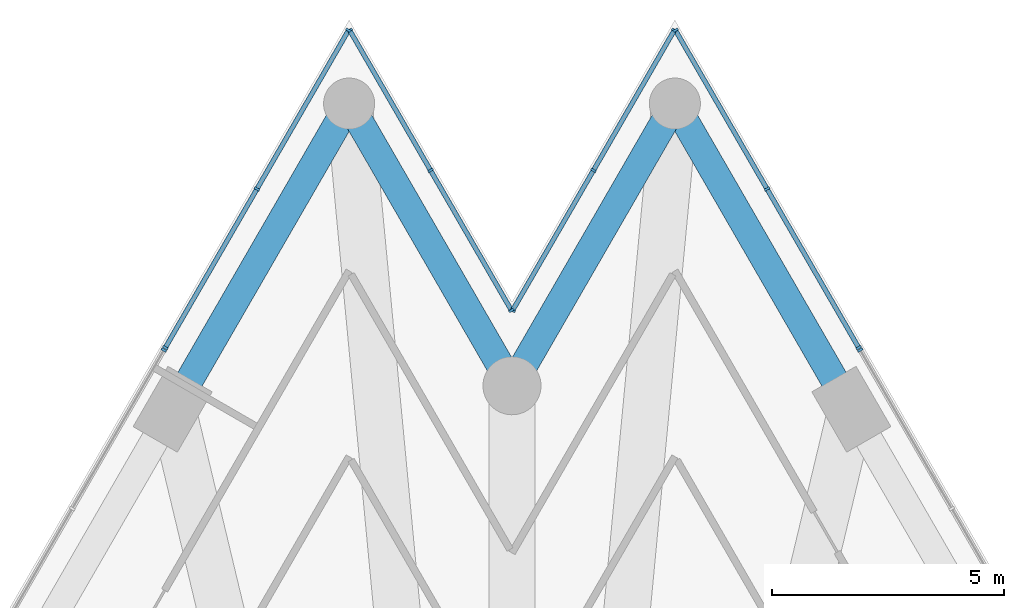
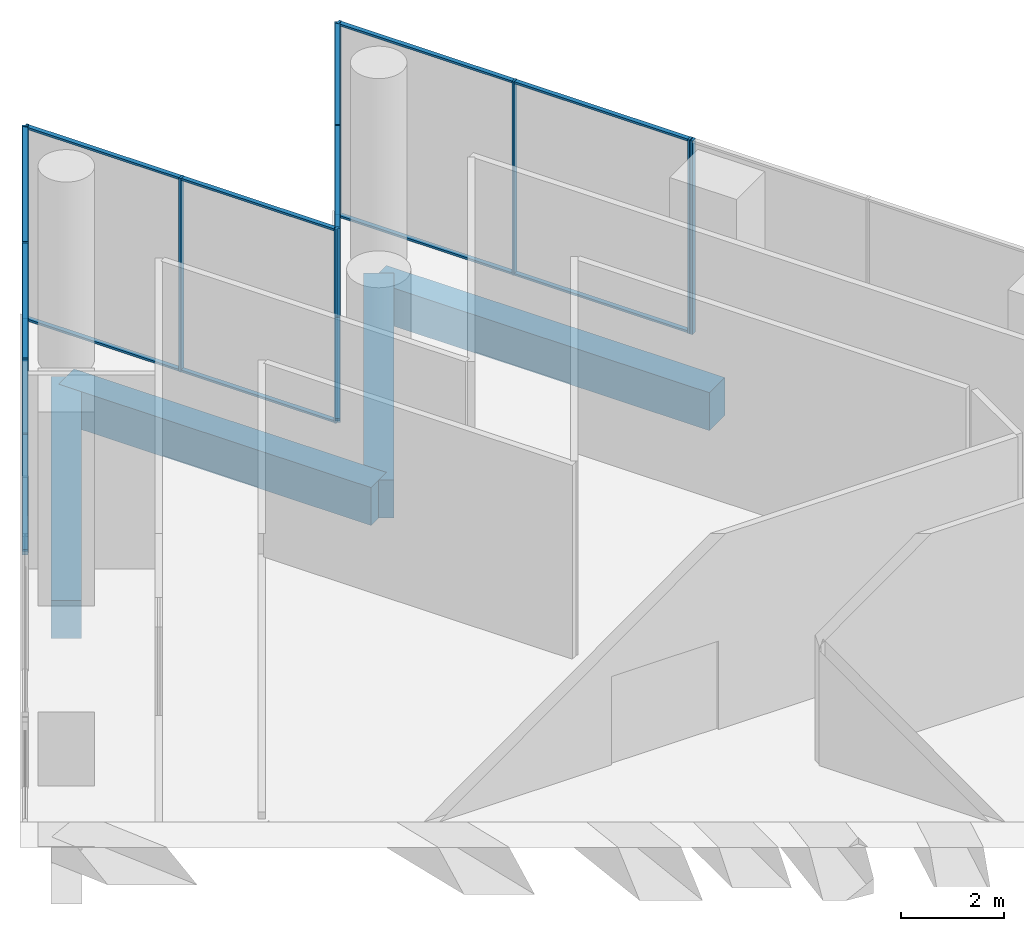
# One storey, part 19 of 32: 30 members, 4 beams, 6 elements without a shape of their own.
"""IFC4 building model written with IfcOpenShell, lengths in metres."""

from ifc_helpers import new_model, si_unit, direction, frame, origin, origin_2d, place, context, subcontext, project, spatial, rectangle, extrude, material, layer, layer_set, material_profile, profile_set, type_object, element, aggregate, save


model = new_model("IFC4")

# Units and contexts
model_context = context("Model", 3, precision=1e-05, world=origin(), true_north=direction((0.0, 1.0)))
body_context = subcontext(model_context, "Body", "Model", "MODEL_VIEW")
ifc_project = project(units=[si_unit("LENGTHUNIT", "METRE"), si_unit("AREAUNIT", "SQUARE_METRE"), si_unit("VOLUMEUNIT", "CUBIC_METRE"), si_unit("PLANEANGLEUNIT", "RADIAN"), si_unit("MASSUNIT", "GRAM", prefix="KILO")], contexts=[model_context])

# Site, building, storey
site_placement = place(None, origin())
site = spatial("IfcSite", under=ifc_project, at=site_placement, CompositionType="ELEMENT")
building_placement = place(site_placement, origin())
building = spatial("IfcBuilding", under=site, at=building_placement, Name="Triada Interchange Tower", CompositionType="ELEMENT")
storey_placement = place(building_placement, frame((0.0, 0.0, 25.300048828125)))
storey = spatial("IfcBuildingStorey", under=building, at=storey_placement, Name="L04", CompositionType="ELEMENT", Elevation=25.300048828125)

# Curtain wall, member
ifc_material_1 = material(Name="Aluminium framed glazing", Category="aluminium")
ifc_layer = layer(ifc_material_1, 0.199951171875)
ifc_layer_set = layer_set([ifc_layer], Name="Curtain wall Winter garden glazing")
curtain_wall_type = type_object("IfcCurtainWallType", Name="Curtain wall Winter garden glazing", PredefinedType="NOTDEFINED", material=ifc_layer_set)
curtain_wall_1_placement = place(storey_placement, origin())
curtain_wall_1 = element("IfcCurtainWall", 1, at=curtain_wall_1_placement, inside=storey, type_object=curtain_wall_type, Name="Winter garden glazing CW018 L04", PredefinedType="NOTDEFINED")
ifc_material_2 = material(Name="Aluminium", Category="aluminium")
ifc_material_profile_1 = material_profile(ifc_material_2, rectangle(XDim=0.1201171875, YDim=0.050048828125, at=origin_2d()), Name="Aluminium mullion")
ifc_profile_set_1 = profile_set([ifc_material_profile_1], Name="Aluminium")
member_type_1 = type_object("IfcMemberType", Name="Mullion Winter garden glazing 120x50", PredefinedType="MULLION", material=ifc_profile_set_1)
member_1_placement = place(storey_placement, frame((7.49560546875, 31.8173828125, 0.0), z_axis=(0.0, 0.0, 1.0), x_axis=(-0.866055473648, -0.499947913852, 0.0)))
member_1 = element("IfcMember", 2, at=member_1_placement, type_object=member_type_1, Name="CW018 mullion 3", PredefinedType="MULLION", context=body_context, shape_type="SweptSolid", body=[
    extrude(rectangle(XDim=0.1201171875, YDim=0.050048828125, at=origin_2d()), origin(), (0.0, 0.0, 1.0), 4.599853515625),
])
aggregate(curtain_wall_1, [member_1])

# Curtain wall, members
curtain_wall_2_placement = place(storey_placement, origin())
curtain_wall_2 = element("IfcCurtainWall", 3, at=curtain_wall_2_placement, inside=storey, type_object=curtain_wall_type, Name="Winter garden glazing CW019 L04", PredefinedType="NOTDEFINED")
member_2_placement = place(storey_placement, frame((7.464599609375, 31.86962890625, 0.0), z_axis=(0.0, 0.0, 1.0), x_axis=(-0.86604927658, -0.499958648825, 0.0)))
member_2 = element("IfcMember", 4, at=member_2_placement, type_object=member_type_1, Name="CW019 mullion 1", PredefinedType="MULLION", context=body_context, shape_type="SweptSolid", body=[
    extrude(rectangle(XDim=0.1201171875, YDim=0.050048828125, at=origin_2d()), origin(), (0.0, 0.0, 1.0), 4.599853515625),
])
member_3_placement = place(storey_placement, frame((5.491943359375, 35.28662109375, 0.0), z_axis=(0.0, 0.0, 1.0), x_axis=(-0.86604927658, -0.499958648825, 0.0)))
member_3 = element("IfcMember", 5, at=member_3_placement, type_object=member_type_1, Name="CW019 mullion 2", PredefinedType="MULLION", context=body_context, shape_type="SweptSolid", body=[
    extrude(rectangle(XDim=0.1201171875, YDim=0.050048828125, at=origin_2d()), origin(), (0.0, 0.0, 1.0), 4.599853515625),
])
member_4_placement = place(storey_placement, frame((3.51953125, 38.703369140625, 0.0), z_axis=(0.0, 0.0, 1.0), x_axis=(-0.86604927658, -0.499958648825, 0.0)))
member_4 = element("IfcMember", 6, at=member_4_placement, type_object=member_type_1, Name="CW019 mullion 3", PredefinedType="MULLION", context=body_context, shape_type="SweptSolid", body=[
    extrude(rectangle(XDim=0.1201171875, YDim=0.050048828125, at=origin_2d()), origin(), (0.0, 0.0, 1.0), 4.599853515625),
])

curtain_wall_3_placement = place(storey_placement, origin())
curtain_wall_3 = element("IfcCurtainWall", 7, at=curtain_wall_3_placement, inside=storey, type_object=curtain_wall_type, Name="Winter garden glazing CW020 L04", PredefinedType="NOTDEFINED")
member_5_placement = place(storey_placement, frame((3.494384765625, 38.703369140625, 0.0), z_axis=(0.0, 0.0, 1.0), x_axis=(0.866050272896, -0.499956922962, 0.0)))
member_5 = element("IfcMember", 8, at=member_5_placement, type_object=member_type_1, Name="CW020 mullion 1", PredefinedType="MULLION", context=body_context, shape_type="SweptSolid", body=[
    extrude(rectangle(XDim=0.1201171875, YDim=0.050048828125, at=origin_2d()), origin(), (0.0, 0.0, 1.0), 4.599853515625),
])
member_6_placement = place(storey_placement, frame((1.75341796875, 35.6875, 0.0), z_axis=(0.0, 0.0, 1.0), x_axis=(0.866050272896, -0.499956922962, 0.0)))
member_6 = element("IfcMember", 9, at=member_6_placement, type_object=member_type_1, Name="CW020 mullion 2", PredefinedType="MULLION", context=body_context, shape_type="SweptSolid", body=[
    extrude(rectangle(XDim=0.1201171875, YDim=0.050048828125, at=origin_2d()), origin(), (0.0, 0.0, 1.0), 4.599853515625),
])
member_7_placement = place(storey_placement, frame((0.012451171875, 32.671630859375, 0.0), z_axis=(0.0, 0.0, 1.0), x_axis=(0.866050272896, -0.499956922962, 0.0)))
member_7 = element("IfcMember", 10, at=member_7_placement, type_object=member_type_1, Name="CW020 mullion 3", PredefinedType="MULLION", context=body_context, shape_type="SweptSolid", body=[
    extrude(rectangle(XDim=0.1201171875, YDim=0.050048828125, at=origin_2d()), origin(), (0.0, 0.0, 1.0), 4.599853515625),
])

curtain_wall_4_placement = place(storey_placement, origin())
curtain_wall_4 = element("IfcCurtainWall", 11, at=curtain_wall_4_placement, inside=storey, type_object=curtain_wall_type, Name="Winter garden glazing CW021 L04", PredefinedType="NOTDEFINED")
member_8_placement = place(storey_placement, frame((-0.012451171875, 32.671630859375, 0.0), z_axis=(0.0, 0.0, 1.0), x_axis=(-0.866050272896, -0.499956922962, 0.0)))
member_8 = element("IfcMember", 12, at=member_8_placement, type_object=member_type_1, Name="CW021 mullion 1", PredefinedType="MULLION", context=body_context, shape_type="SweptSolid", body=[
    extrude(rectangle(XDim=0.1201171875, YDim=0.050048828125, at=origin_2d()), origin(), (0.0, 0.0, 1.0), 4.599853515625),
])
member_9_placement = place(storey_placement, frame((-1.75341796875, 35.6875, 0.0), z_axis=(0.0, 0.0, 1.0), x_axis=(-0.866050272896, -0.499956922962, 0.0)))
member_9 = element("IfcMember", 13, at=member_9_placement, type_object=member_type_1, Name="CW021 mullion 2", PredefinedType="MULLION", context=body_context, shape_type="SweptSolid", body=[
    extrude(rectangle(XDim=0.1201171875, YDim=0.050048828125, at=origin_2d()), origin(), (0.0, 0.0, 1.0), 4.599853515625),
])
member_10_placement = place(storey_placement, frame((-3.494384765625, 38.703369140625, 0.0), z_axis=(0.0, 0.0, 1.0), x_axis=(-0.866050272896, -0.499956922962, 0.0)))
member_10 = element("IfcMember", 14, at=member_10_placement, type_object=member_type_1, Name="CW021 mullion 3", PredefinedType="MULLION", context=body_context, shape_type="SweptSolid", body=[
    extrude(rectangle(XDim=0.1201171875, YDim=0.050048828125, at=origin_2d()), origin(), (0.0, 0.0, 1.0), 4.599853515625),
])

curtain_wall_5_placement = place(storey_placement, origin())
curtain_wall_5 = element("IfcCurtainWall", 15, at=curtain_wall_5_placement, inside=storey, type_object=curtain_wall_type, Name="Winter garden glazing CW022 L04", PredefinedType="NOTDEFINED")
member_11_placement = place(storey_placement, frame((-3.51953125, 38.703369140625, 0.0), z_axis=(0.0, 0.0, 1.0), x_axis=(0.86604927658, -0.499958648825, 0.0)))
member_11 = element("IfcMember", 16, at=member_11_placement, type_object=member_type_1, Name="CW022 mullion 1", PredefinedType="MULLION", context=body_context, shape_type="SweptSolid", body=[
    extrude(rectangle(XDim=0.1201171875, YDim=0.050048828125, at=origin_2d()), origin(), (0.0, 0.0, 1.0), 4.599853515625),
])
member_12_placement = place(storey_placement, frame((-5.491943359375, 35.28662109375, 0.0), z_axis=(0.0, 0.0, 1.0), x_axis=(0.86604927658, -0.499958648825, 0.0)))
member_12 = element("IfcMember", 17, at=member_12_placement, type_object=member_type_1, Name="CW022 mullion 2", PredefinedType="MULLION", context=body_context, shape_type="SweptSolid", body=[
    extrude(rectangle(XDim=0.1201171875, YDim=0.050048828125, at=origin_2d()), origin(), (0.0, 0.0, 1.0), 4.599853515625),
])
member_13_placement = place(storey_placement, frame((-7.464599609375, 31.86962890625, 0.0), z_axis=(0.0, 0.0, 1.0), x_axis=(0.86604927658, -0.499958648825, 0.0)))
member_13 = element("IfcMember", 18, at=member_13_placement, type_object=member_type_1, Name="CW022 mullion 3", PredefinedType="MULLION", context=body_context, shape_type="SweptSolid", body=[
    extrude(rectangle(XDim=0.1201171875, YDim=0.050048828125, at=origin_2d()), origin(), (0.0, 0.0, 1.0), 4.599853515625),
])

# Curtain wall, member
curtain_wall_6_placement = place(storey_placement, origin())
curtain_wall_6 = element("IfcCurtainWall", 19, at=curtain_wall_6_placement, inside=storey, type_object=curtain_wall_type, Name="Winter garden glazing CW023 L04", PredefinedType="NOTDEFINED")
member_14_placement = place(storey_placement, frame((-7.49560546875, 31.8173828125, 0.0), z_axis=(0.0, 0.0, 1.0), x_axis=(0.866055473648, -0.499947913852, 0.0)))
member_14 = element("IfcMember", 20, at=member_14_placement, type_object=member_type_1, Name="CW023 mullion 1", PredefinedType="MULLION", context=body_context, shape_type="SweptSolid", body=[
    extrude(rectangle(XDim=0.1201171875, YDim=0.050048828125, at=origin_2d()), origin(), (0.0, 0.0, 1.0), 4.599853515625),
])
aggregate(curtain_wall_6, [member_14])

# Beams
ifc_material_3 = material(Name="Concrete C50/60", Category="concrete")
ifc_material_profile_2 = material_profile(ifc_material_3, rectangle(XDim=0.60009765625, YDim=0.89990234375, at=origin_2d()), Name="RC 600x900")
ifc_profile_set_2 = profile_set([ifc_material_profile_2], Name="Concrete C50/60")
beam_type = type_object("IfcBeamType", Name="Spandrel beam P RC 600x900", PredefinedType="BEAM", material=ifc_profile_set_2)
for number, where, z_axis, x_axis, name in (
    (21, (-3.507080078125, 37.125, -0.85009765625), (-0.500022797313, -0.86601224135, 0.0), (0.86601224135, -0.500022797313, 0.0), "Spandrel beam EP01 L04"),
    (22, (7.306884765625, 30.5439453125, -0.85009765625), (-0.500022797313, 0.86601224135, 0.0), (-0.86601224135, -0.500022797313, 0.0), "Spandrel beam EP28 L04"),
):
    element("IfcBeam", number, at=place(storey_placement, frame(where, z_axis=z_axis, x_axis=x_axis)), inside=storey, type_object=beam_type, Name=name, PredefinedType="BEAM", context=body_context, shape_type="SweptSolid", body=[
        extrude(rectangle(XDim=0.60009765625, YDim=0.89990234375, at=origin_2d()), origin(), (0.0, 0.0, 1.0), 7.599365234375),
    ])
for number, where, z_axis, x_axis, name in (
    (23, (3.507080078125, 37.125, -0.85009765625), (-0.49996849935, -0.866043589929, 0.0), (0.866043589929, -0.49996849935, 0.0), "Spandrel beam EP29 L04"),
    (24, (0.0, 31.050048828125, -0.85009765625), (-0.49996849935, 0.866043589929, 0.0), (-0.866043589929, -0.49996849935, 0.0), "Spandrel beam EP30 L04"),
):
    element("IfcBeam", number, at=place(storey_placement, frame(where, z_axis=z_axis, x_axis=x_axis)), inside=storey, type_object=beam_type, Name=name, PredefinedType="BEAM", context=body_context, shape_type="SweptSolid", body=[
        extrude(rectangle(XDim=0.60009765625, YDim=0.89990234375, at=origin_2d()), origin(), (0.0, 0.0, 1.0), 7.0146484375),
    ])

# Member
ifc_material_profile_3 = material_profile(ifc_material_2, rectangle(XDim=0.10009765625, YDim=0.050048828125, at=origin_2d()), Name="Aluminium transom")
ifc_profile_set_3 = profile_set([ifc_material_profile_3], Name="Aluminium")
member_type_2 = type_object("IfcMemberType", Name="Transom Winter garden glazing 100x50", PredefinedType="USERDEFINED", material=ifc_profile_set_3)
member_15_placement = place(storey_placement, frame((7.451904296875, 31.891357421875, 0.02490234375), z_axis=(-0.499961171201, 0.866047820441, 0.0), x_axis=(-0.866047820441, -0.499961171201, 0.0)))
member_15 = element("IfcMember", 25, at=member_15_placement, type_object=member_type_2, Name="CW019 transom 1.1", ObjectType="TRANSOM", PredefinedType="USERDEFINED", context=body_context, shape_type="SweptSolid", body=[
    extrude(rectangle(XDim=0.10009765625, YDim=0.050048828125, at=origin_2d()), origin(), (0.0, 0.0, 1.0), 3.895263671875),
])

member_16_placement = place(storey_placement, frame((7.451904296875, 31.891357421875, 4.574951171875), z_axis=(-0.499961171201, 0.866047820441, 0.0), x_axis=(-0.866047820441, -0.499961171201, 0.0)))
member_16 = element("IfcMember", 26, at=member_16_placement, type_object=member_type_2, Name="CW019 transom 1.2", ObjectType="TRANSOM", PredefinedType="USERDEFINED", context=body_context, shape_type="SweptSolid", body=[
    extrude(rectangle(XDim=0.10009765625, YDim=0.050048828125, at=origin_2d()), origin(), (0.0, 0.0, 1.0), 3.895263671875),
])

member_17_placement = place(storey_placement, frame((5.4794921875, 35.30810546875, 0.02490234375), z_axis=(-0.499961171201, 0.866047820441, 0.0), x_axis=(-0.866047820441, -0.499961171201, 0.0)))
member_17 = element("IfcMember", 27, at=member_17_placement, type_object=member_type_2, Name="CW019 transom 2.1", ObjectType="TRANSOM", PredefinedType="USERDEFINED", context=body_context, shape_type="SweptSolid", body=[
    extrude(rectangle(XDim=0.10009765625, YDim=0.050048828125, at=origin_2d()), origin(), (0.0, 0.0, 1.0), 3.895263671875),
])

member_18_placement = place(storey_placement, frame((5.4794921875, 35.30810546875, 4.574951171875), z_axis=(-0.499961171201, 0.866047820441, 0.0), x_axis=(-0.866047820441, -0.499961171201, 0.0)))
member_18 = element("IfcMember", 28, at=member_18_placement, type_object=member_type_2, Name="CW019 transom 2.2", ObjectType="TRANSOM", PredefinedType="USERDEFINED", context=body_context, shape_type="SweptSolid", body=[
    extrude(rectangle(XDim=0.10009765625, YDim=0.050048828125, at=origin_2d()), origin(), (0.0, 0.0, 1.0), 3.895263671875),
])

aggregate(curtain_wall_2, [member_2, member_3, member_4, member_15, member_16, member_17, member_18])

member_19_placement = place(storey_placement, frame((3.48193359375, 38.681640625, 0.02490234375), z_axis=(-0.499933868592, -0.866063581404, 0.0), x_axis=(0.866063581404, -0.499933868592, 0.0)))
member_19 = element("IfcMember", 29, at=member_19_placement, type_object=member_type_2, Name="CW020 transom 1.1", ObjectType="TRANSOM", PredefinedType="USERDEFINED", context=body_context, shape_type="SweptSolid", body=[
    extrude(rectangle(XDim=0.10009765625, YDim=0.050048828125, at=origin_2d()), origin(), (0.0, 0.0, 1.0), 3.43212890625),
])

member_20_placement = place(storey_placement, frame((3.48193359375, 38.681640625, 4.574951171875), z_axis=(-0.499933868592, -0.866063581404, 0.0), x_axis=(0.866063581404, -0.499933868592, 0.0)))
member_20 = element("IfcMember", 30, at=member_20_placement, type_object=member_type_2, Name="CW020 transom 1.2", ObjectType="TRANSOM", PredefinedType="USERDEFINED", context=body_context, shape_type="SweptSolid", body=[
    extrude(rectangle(XDim=0.10009765625, YDim=0.050048828125, at=origin_2d()), origin(), (0.0, 0.0, 1.0), 3.43212890625),
])

member_21_placement = place(storey_placement, frame((1.740966796875, 35.665771484375, 0.02490234375), z_axis=(-0.499987221389, -0.866032781393, 0.0), x_axis=(0.866032781393, -0.499987221389, 0.0)))
member_21 = element("IfcMember", 31, at=member_21_placement, type_object=member_type_2, Name="CW020 transom 2.1", ObjectType="TRANSOM", PredefinedType="USERDEFINED", context=body_context, shape_type="SweptSolid", body=[
    extrude(rectangle(XDim=0.10009765625, YDim=0.050048828125, at=origin_2d()), origin(), (0.0, 0.0, 1.0), 3.43212890625),
])

member_22_placement = place(storey_placement, frame((1.740966796875, 35.665771484375, 4.574951171875), z_axis=(-0.499987221389, -0.866032781393, 0.0), x_axis=(0.866032781393, -0.499987221389, 0.0)))
member_22 = element("IfcMember", 32, at=member_22_placement, type_object=member_type_2, Name="CW020 transom 2.2", ObjectType="TRANSOM", PredefinedType="USERDEFINED", context=body_context, shape_type="SweptSolid", body=[
    extrude(rectangle(XDim=0.10009765625, YDim=0.050048828125, at=origin_2d()), origin(), (0.0, 0.0, 1.0), 3.43212890625),
])

aggregate(curtain_wall_3, [member_5, member_6, member_7, member_19, member_20, member_21, member_22])

member_23_placement = place(storey_placement, frame((-0.02490234375, 32.693359375, 0.02490234375), z_axis=(-0.499987221389, 0.866032781393, 0.0), x_axis=(-0.866032781393, -0.499987221389, 0.0)))
member_23 = element("IfcMember", 33, at=member_23_placement, type_object=member_type_2, Name="CW021 transom 1.1", ObjectType="TRANSOM", PredefinedType="USERDEFINED", context=body_context, shape_type="SweptSolid", body=[
    extrude(rectangle(XDim=0.10009765625, YDim=0.050048828125, at=origin_2d()), origin(), (0.0, 0.0, 1.0), 3.43212890625),
])

member_24_placement = place(storey_placement, frame((-0.02490234375, 32.693359375, 4.574951171875), z_axis=(-0.499987221389, 0.866032781393, 0.0), x_axis=(-0.866032781393, -0.499987221389, 0.0)))
member_24 = element("IfcMember", 34, at=member_24_placement, type_object=member_type_2, Name="CW021 transom 1.2", ObjectType="TRANSOM", PredefinedType="USERDEFINED", context=body_context, shape_type="SweptSolid", body=[
    extrude(rectangle(XDim=0.10009765625, YDim=0.050048828125, at=origin_2d()), origin(), (0.0, 0.0, 1.0), 3.43212890625),
])

member_25_placement = place(storey_placement, frame((-1.76611328125, 35.709228515625, 0.02490234375), z_axis=(-0.499933868592, 0.866063581404, 0.0), x_axis=(-0.866063581404, -0.499933868592, 0.0)))
member_25 = element("IfcMember", 35, at=member_25_placement, type_object=member_type_2, Name="CW021 transom 2.1", ObjectType="TRANSOM", PredefinedType="USERDEFINED", context=body_context, shape_type="SweptSolid", body=[
    extrude(rectangle(XDim=0.10009765625, YDim=0.050048828125, at=origin_2d()), origin(), (0.0, 0.0, 1.0), 3.43212890625),
])

member_26_placement = place(storey_placement, frame((-1.76611328125, 35.709228515625, 4.574951171875), z_axis=(-0.499933868592, 0.866063581404, 0.0), x_axis=(-0.866063581404, -0.499933868592, 0.0)))
member_26 = element("IfcMember", 36, at=member_26_placement, type_object=member_type_2, Name="CW021 transom 2.2", ObjectType="TRANSOM", PredefinedType="USERDEFINED", context=body_context, shape_type="SweptSolid", body=[
    extrude(rectangle(XDim=0.10009765625, YDim=0.050048828125, at=origin_2d()), origin(), (0.0, 0.0, 1.0), 3.43212890625),
])

aggregate(curtain_wall_4, [member_8, member_9, member_10, member_23, member_24, member_25, member_26])

member_27_placement = place(storey_placement, frame((-3.531982421875, 38.681640625, 0.02490234375), z_axis=(-0.499961171201, -0.866047820441, 0.0), x_axis=(0.866047820441, -0.499961171201, 0.0)))
member_27 = element("IfcMember", 37, at=member_27_placement, type_object=member_type_2, Name="CW022 transom 1.1", ObjectType="TRANSOM", PredefinedType="USERDEFINED", context=body_context, shape_type="SweptSolid", body=[
    extrude(rectangle(XDim=0.10009765625, YDim=0.050048828125, at=origin_2d()), origin(), (0.0, 0.0, 1.0), 3.895263671875),
])

member_28_placement = place(storey_placement, frame((-3.531982421875, 38.681640625, 4.574951171875), z_axis=(-0.499961171201, -0.866047820441, 0.0), x_axis=(0.866047820441, -0.499961171201, 0.0)))
member_28 = element("IfcMember", 38, at=member_28_placement, type_object=member_type_2, Name="CW022 transom 1.2", ObjectType="TRANSOM", PredefinedType="USERDEFINED", context=body_context, shape_type="SweptSolid", body=[
    extrude(rectangle(XDim=0.10009765625, YDim=0.050048828125, at=origin_2d()), origin(), (0.0, 0.0, 1.0), 3.895263671875),
])

member_29_placement = place(storey_placement, frame((-5.50439453125, 35.264892578125, 0.02490234375), z_axis=(-0.499961171201, -0.866047820441, 0.0), x_axis=(0.866047820441, -0.499961171201, 0.0)))
member_29 = element("IfcMember", 39, at=member_29_placement, type_object=member_type_2, Name="CW022 transom 2.1", ObjectType="TRANSOM", PredefinedType="USERDEFINED", context=body_context, shape_type="SweptSolid", body=[
    extrude(rectangle(XDim=0.10009765625, YDim=0.050048828125, at=origin_2d()), origin(), (0.0, 0.0, 1.0), 3.895263671875),
])

member_30_placement = place(storey_placement, frame((-5.50439453125, 35.264892578125, 4.574951171875), z_axis=(-0.499961171201, -0.866047820441, 0.0), x_axis=(0.866047820441, -0.499961171201, 0.0)))
member_30 = element("IfcMember", 40, at=member_30_placement, type_object=member_type_2, Name="CW022 transom 2.2", ObjectType="TRANSOM", PredefinedType="USERDEFINED", context=body_context, shape_type="SweptSolid", body=[
    extrude(rectangle(XDim=0.10009765625, YDim=0.050048828125, at=origin_2d()), origin(), (0.0, 0.0, 1.0), 3.895263671875),
])

aggregate(curtain_wall_5, [member_11, member_12, member_13, member_27, member_28, member_29, member_30])

save(model, "model.ifc")
